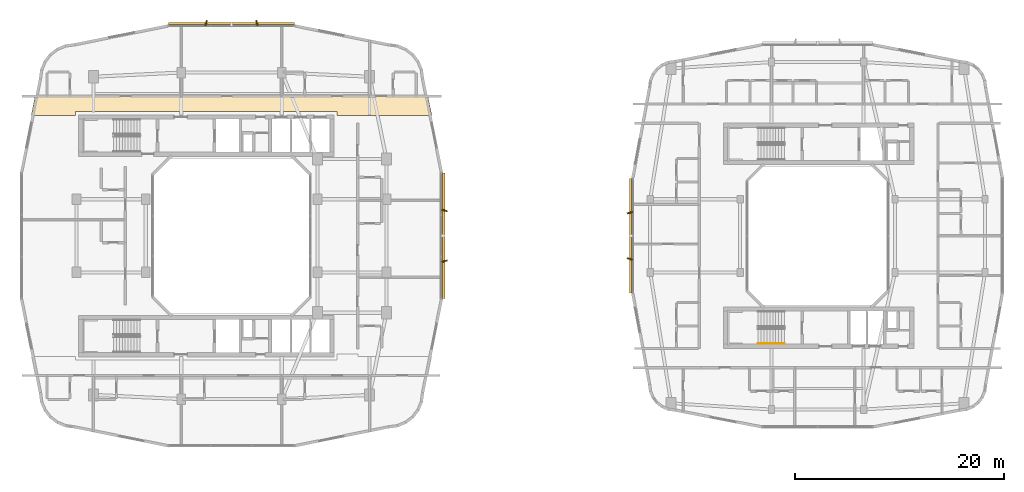
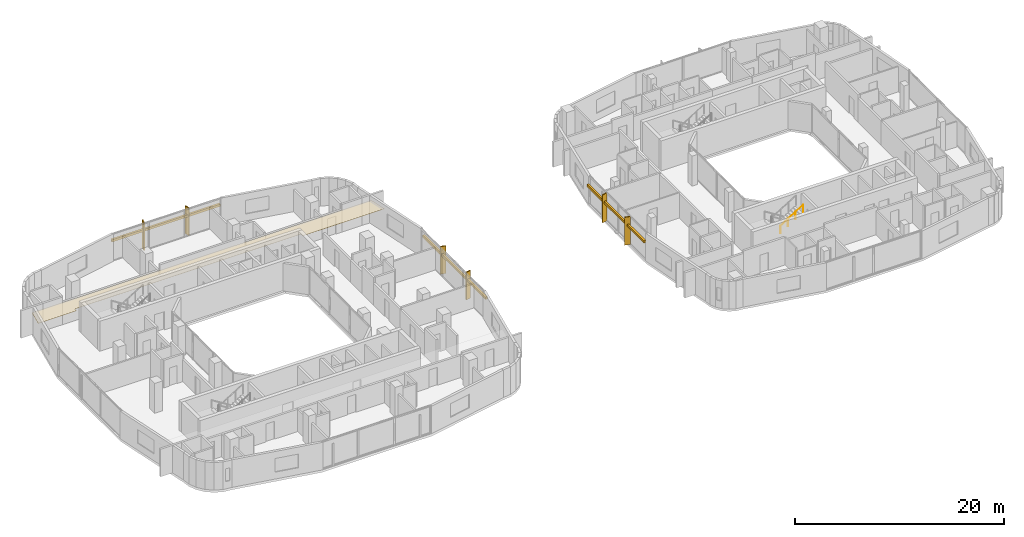
# One storey, part 25 of 26: 9 shading devices, 1 covering, 1 railing.
"""IFC4 building model written with IfcOpenShell, lengths in metres."""

from ifc_helpers import new_model, si_unit, derived_unit, direction, frame, origin, origin_2d, place, context, subcontext, project, spatial, polyline, rectangle, circle, outline, extrude, material, layer, layer_set, type_object, element, save


model = new_model("IFC4")

# Units and contexts
model_context = context("Model", 3, precision=1e-05, world=origin(), true_north=direction((0.0, 1.0)))
body_context = subcontext(model_context, "Body", "Model", "MODEL_VIEW")
ifc_project = project(units=[si_unit("LENGTHUNIT", "METRE"), si_unit("AREAUNIT", "SQUARE_METRE"), si_unit("VOLUMEUNIT", "CUBIC_METRE"), si_unit("PLANEANGLEUNIT", "RADIAN"), si_unit("MASSUNIT", "GRAM", prefix="KILO"), derived_unit("THERMALTRANSMITTANCEUNIT", [(si_unit("POWERUNIT", "WATT"), 1), (si_unit("LENGTHUNIT", "METRE"), -2), (si_unit("THERMODYNAMICTEMPERATUREUNIT", "KELVIN"), -1)])], contexts=[model_context])

# Site, building, storey
site_placement = place(None, origin())
site = spatial("IfcSite", under=ifc_project, at=site_placement, CompositionType="ELEMENT")
building_placement = place(site_placement, origin())
building = spatial("IfcBuilding", under=site, at=building_placement, Name="Kivonza Crest Hotel", CompositionType="ELEMENT")
storey_placement = place(building_placement, frame((0.0, 0.0, 105.5)))
storey = spatial("IfcBuildingStorey", under=building, at=storey_placement, Name="L28", CompositionType="ELEMENT", Elevation=105.5)

# Covering
ifc_material_1 = material(Name="Mineral-fibre acoustic ceiling tile", Category="gypsum")
ifc_layer = layer(ifc_material_1, 0.02490234375)
ifc_layer_set = layer_set([ifc_layer], Name="Mineral-fibre acoustic ceiling tile")
covering_type = type_object("IfcCoveringType", Name="CV-CEIL-ACOU", PredefinedType="CEILING", material=ifc_layer_set)
covering_placement = place(storey_placement, frame((0.0, 0.0, 2.449951171875)))
element("IfcCovering", 1, at=covering_placement, inside=storey, type_object=covering_type, Name="L28 Hotel North Guest Corridor suspended ceiling", PredefinedType="CEILING", context=body_context, shape_type="SweptSolid", body=[
    extrude(outline(polyline([(2.235107421875, 38.389892578125), (1.85791015625, 36.52001953125), (6.10009765625, 36.52001953125), (6.10009765625, 36.860107421875), (31.10009765625, 36.860107421875), (31.10009765625, 36.52001953125), (40.14208984375, 36.52001953125), (39.764892578125, 38.389892578125), (2.235107421875, 38.389892578125)])), origin(), (0.0, 0.0, 1.0), 0.025146484375),
])

# Railing
ifc_material_2 = material(Name="Brushed stainless steel handrail", Category="steel")
railing_type = type_object("IfcRailingType", Name="RL-HAND-900", PredefinedType="HANDRAIL", material=ifc_material_2)
railing_placement = place(storey_placement, frame((71.320068359375, 14.7099609375, 1.925048828125)))
element("IfcRailing", 2, at=railing_placement, inside=storey, type_object=railing_type, Name="L28 ST-T2-S stair handrail 2", PredefinedType="HANDRAIL", context=body_context, shape_type="SweptSolid", body=[
    extrude(circle(Radius=0.02392578125, at=origin_2d()), frame((0.0, 0.0, 0.8759765625), z_axis=(0.848007534815, 0.0, 0.529984170421), x_axis=(0.0, 1.0, 0.0)), (0.0, 0.0, 1.0), 2.9716796875),
    extrude(circle(Radius=0.02099609375, at=origin_2d()), origin(), (0.0, 0.0, 1.0), 0.851806640625),
    extrude(circle(Radius=0.02099609375, at=origin_2d()), frame((0.840087890625, 0.0, 0.52490234375)), (0.0, 0.0, 1.0), 0.851806640625),
    extrude(circle(Radius=0.02099609375, at=origin_2d()), frame((1.679931640625, 0.0, 1.050048828125)), (0.0, 0.0, 1.0), 0.851806640625),
    extrude(circle(Radius=0.02099609375, at=origin_2d()), frame((2.52001953125, 0.0, 1.574951171875)), (0.0, 0.0, 1.0), 0.851806640625),
])

# Shading devices
ifc_material_3 = material(Name="Kiln-fired Nairobi red-ochre terracotta", Category="masonry")
shading_device_type_1 = type_object("IfcShadingDeviceType", Name="SH-BAGUETTE-300", PredefinedType="USERDEFINED", material=ifc_material_3)
for number, where, z_axis, x_axis, name in (
    (3, (41.280029296875, 25.0, 2.1240234375), (0.0, 0.0, 1.0), (0.0, 1.0, 0.0), "L28 terracotta baguette screen CW-T1-L28-17"),
    (4, (21.0, 45.280029296875, 2.1240234375), (0.0, 0.0, 1.0), (-1.0, 0.0, 0.0), "L28 terracotta baguette screen CW-T1-L28-26"),
):
    element("IfcShadingDevice", number, at=place(storey_placement, frame(where, z_axis=z_axis, x_axis=x_axis)), inside=storey, type_object=shading_device_type_1, Name=name, ObjectType="BAGUETTE", PredefinedType="USERDEFINED", context=body_context, shape_type="SweptSolid", body=[
        extrude(rectangle(XDim=12.0, YDim=0.219970703125, at=origin_2d()), origin(), (0.0, 0.0, 1.0), 0.260009765625),
    ])
shading_device_placement = place(storey_placement, frame((59.1201171875, 25.0, 2.14501953125), z_axis=(0.0, 0.0, 1.0), x_axis=(0.0, -1.0, 0.0)))
element("IfcShadingDevice", 5, at=shading_device_placement, inside=storey, type_object=shading_device_type_1, Name="L28 terracotta baguette screen CW-T2-L28-35", ObjectType="BAGUETTE", PredefinedType="USERDEFINED", context=body_context, shape_type="SweptSolid", body=[
    extrude(rectangle(XDim=10.919921875, YDim=0.219970703125, at=origin_2d()), origin(), (0.0, 0.0, 1.0), 0.260009765625),
])
ifc_material_4 = material(Name="Kiln-fired terracotta over extruded aluminium spine", Category="masonry")
shading_device_type_2 = type_object("IfcShadingDeviceType", Name="SH-FIN-550", PredefinedType="USERDEFINED", material=ifc_material_4)
for number, where, z_axis, x_axis, name in (
    (6, (41.340087890625, 22.575927734375, 0.0), (0.0, 0.0, 1.0), (-0.2419218956, 0.970295726276, 0.0), "L28 vertical solar shading fin CW-T1-L28-17-1"),
    (7, (41.340087890625, 27.424072265625, 0.0), (0.0, 0.0, 1.0), (0.2419218956, 0.970295726276, 0.0), "L28 vertical solar shading fin CW-T1-L28-17-2"),
    (8, (23.424072265625, 45.340087890625, 0.0), (0.0, 0.0, 1.0), (-0.970295726276, -0.2419218956, 0.0), "L28 vertical solar shading fin CW-T1-L28-26-1"),
    (9, (18.575927734375, 45.340087890625, 0.0), (0.0, 0.0, 1.0), (-0.970295726276, 0.2419218956, 0.0), "L28 vertical solar shading fin CW-T1-L28-26-2"),
):
    element("IfcShadingDevice", number, at=place(storey_placement, frame(where, z_axis=z_axis, x_axis=x_axis)), inside=storey, type_object=shading_device_type_2, Name=name, ObjectType="FIN", PredefinedType="USERDEFINED", context=body_context, shape_type="SweptSolid", body=[
        extrude(rectangle(XDim=0.1201171875, YDim=0.550048828125, at=origin_2d()), origin(), (0.0, 0.0, 1.0), 3.219970703125),
    ])
for number, where, z_axis, x_axis, name in (
    (10, (59.06005859375, 27.2080078125, 0.0), (0.0, 0.0, 1.0), (0.2419218956, -0.970295726276, 0.0), "L28 vertical solar shading fin CW-T2-L28-35-1"),
    (11, (59.06005859375, 22.7919921875, 0.0), (0.0, 0.0, 1.0), (-0.2419218956, -0.970295726276, 0.0), "L28 vertical solar shading fin CW-T2-L28-35-2"),
):
    element("IfcShadingDevice", number, at=place(storey_placement, frame(where, z_axis=z_axis, x_axis=x_axis)), inside=storey, type_object=shading_device_type_2, Name=name, ObjectType="FIN", PredefinedType="USERDEFINED", context=body_context, shape_type="SweptSolid", body=[
        extrude(rectangle(XDim=0.1201171875, YDim=0.550048828125, at=origin_2d()), origin(), (0.0, 0.0, 1.0), 3.25),
    ])

save(model, "model.ifc")
